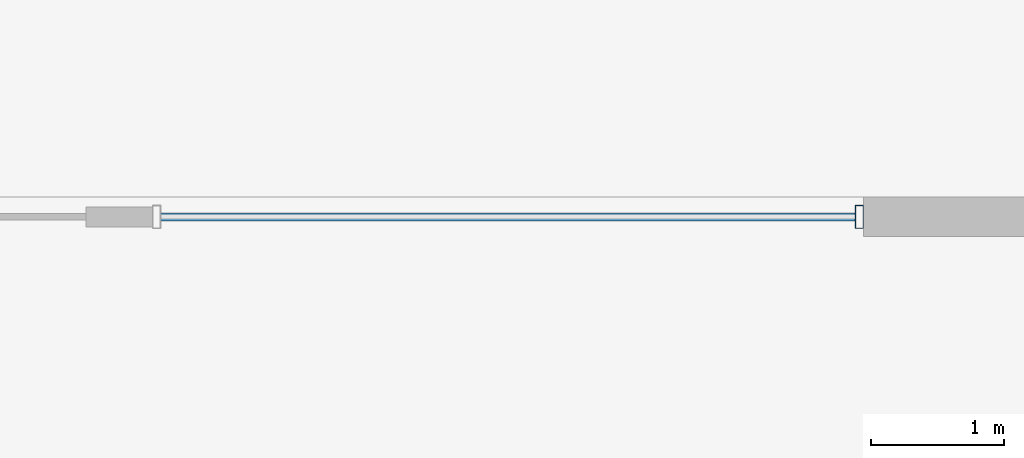
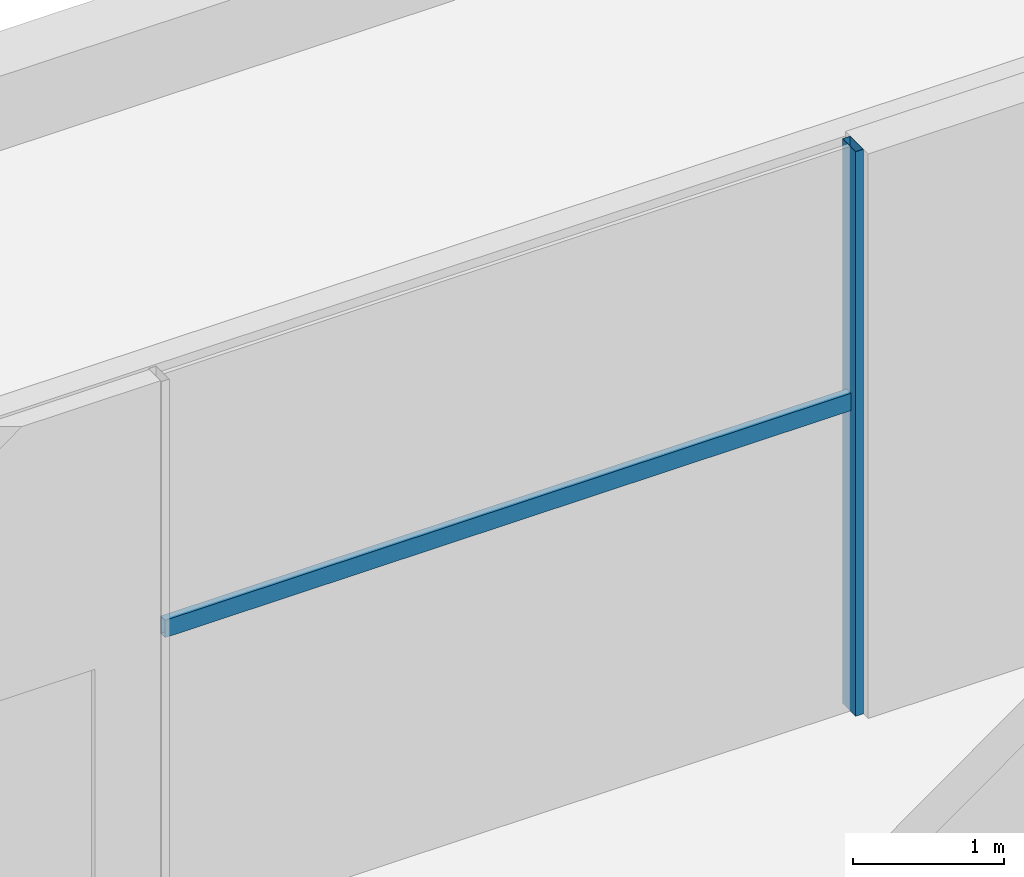
# One storey, part 22 of 49: 2 members, 1 element without a shape of its own.
"""IFC4 building model written with IfcOpenShell, lengths in metres."""

from ifc_helpers import new_model, si_unit, direction, frame, origin, origin_2d, place, context, subcontext, project, spatial, hollow_rectangle, extrude, material, material_profile, profile_set, type_object, element, aggregate, save


model = new_model("IFC4")

# Units and contexts
model_context = context("Model", 3, precision=1e-05, world=origin(), true_north=direction((0.0, 1.0)))
body_context = subcontext(model_context, "Body", "Model", "MODEL_VIEW")
ifc_project = project(units=[si_unit("LENGTHUNIT", "METRE"), si_unit("AREAUNIT", "SQUARE_METRE"), si_unit("VOLUMEUNIT", "CUBIC_METRE"), si_unit("PLANEANGLEUNIT", "RADIAN"), si_unit("MASSUNIT", "GRAM", prefix="KILO")], contexts=[model_context])

# Site, building, storey
site_placement = place(None, origin())
site = spatial("IfcSite", under=ifc_project, at=site_placement, CompositionType="ELEMENT")
building_placement = place(site_placement, origin())
building = spatial("IfcBuilding", under=site, at=building_placement, Name="Altepetl Exchange Towers", CompositionType="ELEMENT")
storey_placement = place(building_placement, frame((0.0, 0.0, 11.5)))
storey = spatial("IfcBuildingStorey", under=building, at=storey_placement, Name="L02 Exchange podium", CompositionType="ELEMENT", Elevation=11.5)

# Curtain wall, members
ifc_material_1 = material(Name="Aluminium 6063-T6 glazing", Category="aluminium")
curtain_wall_type = type_object("IfcCurtainWallType", Name="Podium storefront system", PredefinedType="NOTDEFINED", material=ifc_material_1)
curtain_wall_placement = place(storey_placement, origin())
curtain_wall = element("IfcCurtainWall", 1, at=curtain_wall_placement, inside=storey, type_object=curtain_wall_type, Name="CW5 run", PredefinedType="NOTDEFINED")
ifc_material_2 = material(Name="Aluminium 6063-T6", Category="aluminium")
ifc_material_profile_1 = material_profile(ifc_material_2, hollow_rectangle(XDim=0.06005859375, YDim=0.175048828125, WallThickness=0.0029296875, at=origin_2d()), Name="Mullion 60x175 aluminium")
ifc_profile_set_1 = profile_set([ifc_material_profile_1], Name="Aluminium 6063-T6")
member_type_1 = type_object("IfcMemberType", Name="Mullion 60x175 aluminium", PredefinedType="MULLION", material=ifc_profile_set_1)
member_1_placement = place(storey_placement, frame((89.969970703125, 80.85009765625, 0.0), z_axis=(0.0, 0.0, 1.0), x_axis=(-1.0, 0.0, 0.0)))
member_1 = element("IfcMember", 2, at=member_1_placement, type_object=member_type_1, Name="MU4 mullion", PredefinedType="MULLION", context=body_context, shape_type="SweptSolid", body=[
    extrude(hollow_rectangle(XDim=0.06005859375, YDim=0.175048828125, WallThickness=0.0029296875, at=origin_2d()), origin(), (0.0, 0.0, 1.0), 4.550048828125),
])
ifc_material_profile_2 = material_profile(ifc_material_2, hollow_rectangle(XDim=0.06005859375, YDim=0.139892578125, WallThickness=0.0029296875, at=origin_2d()), Name="Transom 60x140 aluminium")
ifc_profile_set_2 = profile_set([ifc_material_profile_2], Name="Aluminium 6063-T6")
member_type_2 = type_object("IfcMemberType", Name="Transom 60x140 aluminium", PredefinedType="USERDEFINED", material=ifc_profile_set_2)
member_2_placement = place(storey_placement, frame((89.93994140625, 80.85009765625, 2.5), z_axis=(-1.0, 0.0, 0.0), x_axis=(0.0, -1.0, 0.0)))
member_2 = element("IfcMember", 3, at=member_2_placement, type_object=member_type_2, Name="TR3 transom", ObjectType="TRANSOM", PredefinedType="USERDEFINED", context=body_context, shape_type="SweptSolid", body=[
    extrude(hollow_rectangle(XDim=0.06005859375, YDim=0.139892578125, WallThickness=0.0029296875, at=origin_2d()), origin(), (0.0, 0.0, 1.0), 5.22998046875),
])
aggregate(curtain_wall, [member_1, member_2])

save(model, "model.ifc")
